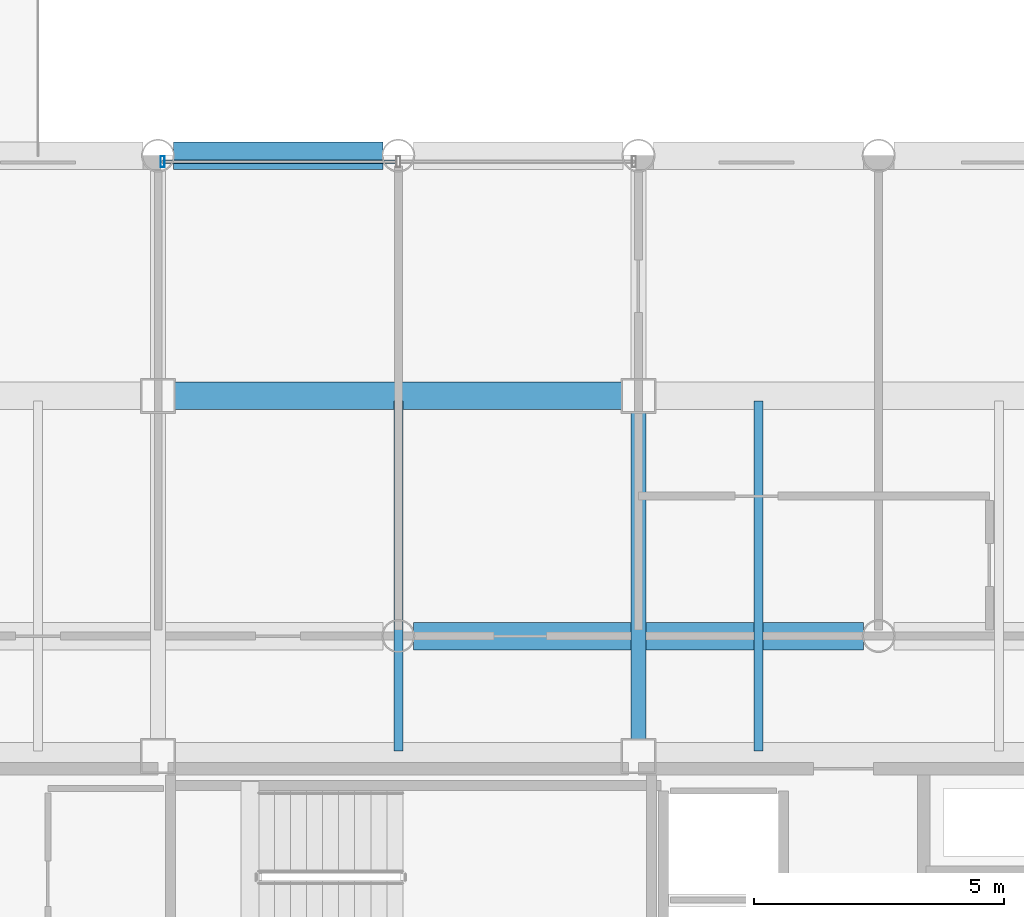
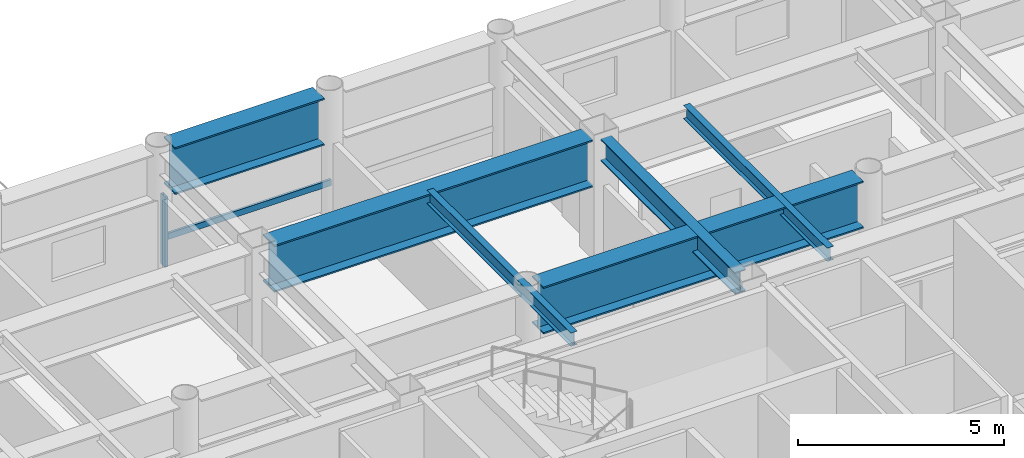
# One storey, part 12 of 22: 6 beams, 2 members, 1 element without a shape of its own.
"""IFC4 building model written with IfcOpenShell, lengths in metres."""

from ifc_helpers import new_model, si_unit, direction, frame, origin, origin_2d, place, context, subcontext, project, spatial, hollow_rectangle, i_section, extrude, material, layer, layer_set, material_profile, profile_set, type_object, element, aggregate, save


model = new_model("IFC4")

# Units and contexts
model_context = context("Model", 3, precision=1e-05, world=origin(), true_north=direction((0.0, 1.0)))
body_context = subcontext(model_context, "Body", "Model", "MODEL_VIEW")
ifc_project = project(units=[si_unit("LENGTHUNIT", "METRE"), si_unit("AREAUNIT", "SQUARE_METRE"), si_unit("VOLUMEUNIT", "CUBIC_METRE"), si_unit("PLANEANGLEUNIT", "RADIAN"), si_unit("MASSUNIT", "GRAM", prefix="KILO")], contexts=[model_context])

# Site, building, storey
site_placement = place(None, origin())
site = spatial("IfcSite", under=ifc_project, at=site_placement, CompositionType="ELEMENT")
building_placement = place(site_placement, origin())
building = spatial("IfcBuilding", under=site, at=building_placement, Name="Kallvorn Hotel Tower", CompositionType="ELEMENT")
storey_placement = place(building_placement, frame((0.0, 0.0, 154.39990234375)))
storey = spatial("IfcBuildingStorey", under=building, at=storey_placement, Name="L38", CompositionType="ELEMENT", Elevation=154.39990234375)

# Beams
ifc_material_1 = material(Name="Structural steel S355JR", Category="steel")
ifc_material_profile_1 = material_profile(ifc_material_1, i_section(OverallWidth=0.300048828125, OverallDepth=0.64990234375, WebThickness=0.01611328125, FlangeThickness=0.031005859375, at=origin_2d()), Name="HE 650 B")
ifc_profile_set_1 = profile_set([ifc_material_profile_1], Name="Structural steel S355JR")
beam_type_1 = type_object("IfcBeamType", Name="BM_HE650B", PredefinedType="BEAM", material=ifc_profile_set_1)
beam_1_placement = place(storey_placement, frame((4.800048828125, 7.52490234375, 3.195068359375), z_axis=(0.0, 1.0, 0.0), x_axis=(-1.0, 0.0, 0.0)))
element("IfcBeam", 1, at=beam_1_placement, inside=storey, type_object=beam_type_1, Name="L39 Primary Y-Girder 117", PredefinedType="BEAM", context=body_context, shape_type="SweptSolid", body=[
    extrude(i_section(OverallWidth=0.300048828125, OverallDepth=0.64990234375, WebThickness=0.01611328125, FlangeThickness=0.031005859375, at=origin_2d()), origin(), (0.0, 0.0, 1.0), 6.550048828125),
])
ifc_material_2 = material(Name="Structural steel S355JR", Category="steel")
ifc_material_profile_2 = material_profile(ifc_material_2, i_section(OverallWidth=0.179931640625, OverallDepth=0.39990234375, WebThickness=0.008544921875, FlangeThickness=0.013427734375, at=origin_2d()), Name="IPE 400")
ifc_profile_set_2 = profile_set([ifc_material_profile_2], Name="Structural steel S355JR")
beam_type_2 = type_object("IfcBeamType", Name="BM_IPE400", PredefinedType="JOIST", material=ifc_profile_set_2)
for number, where, z_axis, x_axis, name in (
    (2, (0.0, 7.300048828125, 3.320068359375), (0.0, 1.0, 0.0), (-1.0, 0.0, 0.0), "L39 Secondary Composite Joist 201"),
    (3, (7.199951171875, 7.300048828125, 3.320068359375), (0.0, 1.0, 0.0), (-1.0, 0.0, 0.0), "L39 Secondary Composite Joist 203"),
):
    element("IfcBeam", number, at=place(storey_placement, frame(where, z_axis=z_axis, x_axis=x_axis)), inside=storey, type_object=beam_type_2, Name=name, PredefinedType="JOIST", context=body_context, shape_type="SweptSolid", body=[
        extrude(i_section(OverallWidth=0.179931640625, OverallDepth=0.39990234375, WebThickness=0.008544921875, FlangeThickness=0.013427734375, at=origin_2d()), origin(), (0.0, 0.0, 1.0), 7.0),
    ])
ifc_material_3 = material(Name="Structural steel S355JR", Category="steel")
ifc_material_profile_3 = material_profile(ifc_material_3, i_section(OverallWidth=0.550048828125, OverallDepth=1.39990234375, WebThickness=0.02490234375, FlangeThickness=0.044921875, at=origin_2d()), Name="PG 1400x550x25x45")
ifc_profile_set_3 = profile_set([ifc_material_profile_3], Name="Structural steel S355JR")
beam_type_3 = type_object("IfcBeamType", Name="BM_PG_1400", PredefinedType="BEAM", material=ifc_profile_set_3)
beam_2_placement = place(storey_placement, frame((0.304931640625, 9.60009765625, 2.820068359375), z_axis=(1.0, 0.0, 0.0), x_axis=(0.0, 1.0, 0.0)))
element("IfcBeam", 4, at=beam_2_placement, inside=storey, type_object=beam_type_3, Name="L39 Primary X-Girder 47", PredefinedType="BEAM", context=body_context, shape_type="SweptSolid", body=[
    extrude(i_section(OverallWidth=0.550048828125, OverallDepth=1.39990234375, WebThickness=0.02490234375, FlangeThickness=0.044921875, at=origin_2d()), origin(), (0.0, 0.0, 1.0), 8.989990234375),
])
beam_3_placement = place(storey_placement, frame((-4.47509765625, 14.39990234375, 2.820068359375), z_axis=(1.0, 0.0, 0.0), x_axis=(0.0, 1.0, 0.0)))
element("IfcBeam", 5, at=beam_3_placement, inside=storey, type_object=beam_type_3, Name="L39 Primary X-Girder 56", PredefinedType="BEAM", context=body_context, shape_type="SweptSolid", body=[
    extrude(i_section(OverallWidth=0.550048828125, OverallDepth=1.39990234375, WebThickness=0.02490234375, FlangeThickness=0.044921875, at=origin_2d()), origin(), (0.0, 0.0, 1.0), 8.9501953125),
])
beam_4_placement = place(storey_placement, frame((-4.4951171875, 19.199951171875, 2.820068359375), z_axis=(1.0, 0.0, 0.0), x_axis=(0.0, 1.0, 0.0)))
element("IfcBeam", 6, at=beam_4_placement, inside=storey, type_object=beam_type_3, Name="L39 Primary X-Girder 66", PredefinedType="BEAM", context=body_context, shape_type="SweptSolid", body=[
    extrude(i_section(OverallWidth=0.550048828125, OverallDepth=1.39990234375, WebThickness=0.02490234375, FlangeThickness=0.044921875, at=origin_2d()), origin(), (0.0, 0.0, 1.0), 4.190185546875),
])

# Curtain wall, members
ifc_material_4 = material(Name="Thermally broken black-anodised aluminium AA 6063-T6", Category="aluminium")
ifc_layer = layer(ifc_material_4, 0.2099609375)
ifc_layer_set = layer_set([ifc_layer], Name="CW_SYS_4_HOTEL_MID")
curtain_wall_type = type_object("IfcCurtainWallType", Name="CW_SYS_4_HOTEL_MID", PredefinedType="USERDEFINED", material=ifc_layer_set)
curtain_wall_placement = place(storey_placement, origin())
curtain_wall = element("IfcCurtainWall", 7, at=curtain_wall_placement, inside=storey, type_object=curtain_wall_type, Name="L38 Dark-Glass Curtain Wall CW-L38-NC", ObjectType="UNITISED CURTAIN WALL", PredefinedType="USERDEFINED")
ifc_material_5 = material(Name="Thermally broken black-anodised aluminium AA 6063-T6", Category="aluminium")
ifc_material_profile_4 = material_profile(ifc_material_5, hollow_rectangle(XDim=0.080078125, YDim=0.219970703125, WallThickness=0.0048828125, at=origin_2d()), Name="MUL 220x80")
ifc_profile_set_4 = profile_set([ifc_material_profile_4], Name="Thermally broken black-anodised aluminium AA 6063-T6")
member_type_1 = type_object("IfcMemberType", Name="CW_MULLION_220x80", PredefinedType="MULLION", material=ifc_profile_set_4)
member_1_placement = place(storey_placement, frame((-4.7099609375, 19.080078125, 0.02001953125), z_axis=(0.0, 0.0, 1.0), x_axis=(1.0, 0.0, 0.0)))
member_1 = element("IfcMember", 8, at=member_1_placement, type_object=member_type_1, Name="CW-L38-NC Mullion 00", PredefinedType="MULLION", context=body_context, shape_type="SweptSolid", body=[
    extrude(hollow_rectangle(XDim=0.080078125, YDim=0.219970703125, WallThickness=0.0048828125, at=origin_2d()), origin(), (0.0, 0.0, 1.0), 2.080078125),
])
ifc_material_6 = material(Name="Thermally broken black-anodised aluminium AA 6063-T6", Category="aluminium")
ifc_material_profile_5 = material_profile(ifc_material_6, hollow_rectangle(XDim=0.070068359375, YDim=0.179931640625, WallThickness=0.00390625, at=origin_2d()), Name="TRN 180x70")
ifc_profile_set_5 = profile_set([ifc_material_profile_5], Name="Thermally broken black-anodised aluminium AA 6063-T6")
member_type_2 = type_object("IfcMemberType", Name="CW_TRANSOM_180x70", PredefinedType="USERDEFINED", material=ifc_profile_set_5)
member_2_placement = place(storey_placement, frame((-4.7099609375, 19.080078125, 0.85009765625), z_axis=(1.0, 0.0, 0.0), x_axis=(0.0, 1.0, 0.0)))
member_2 = element("IfcMember", 9, at=member_2_placement, type_object=member_type_2, Name="CW-L38-NC Transom 00M", ObjectType="TRANSOM", PredefinedType="USERDEFINED", context=body_context, shape_type="SweptSolid", body=[
    extrude(hollow_rectangle(XDim=0.070068359375, YDim=0.179931640625, WallThickness=0.00390625, at=origin_2d()), origin(), (0.0, 0.0, 1.0), 4.669921875),
])
aggregate(curtain_wall, [member_1, member_2])

save(model, "model.ifc")
